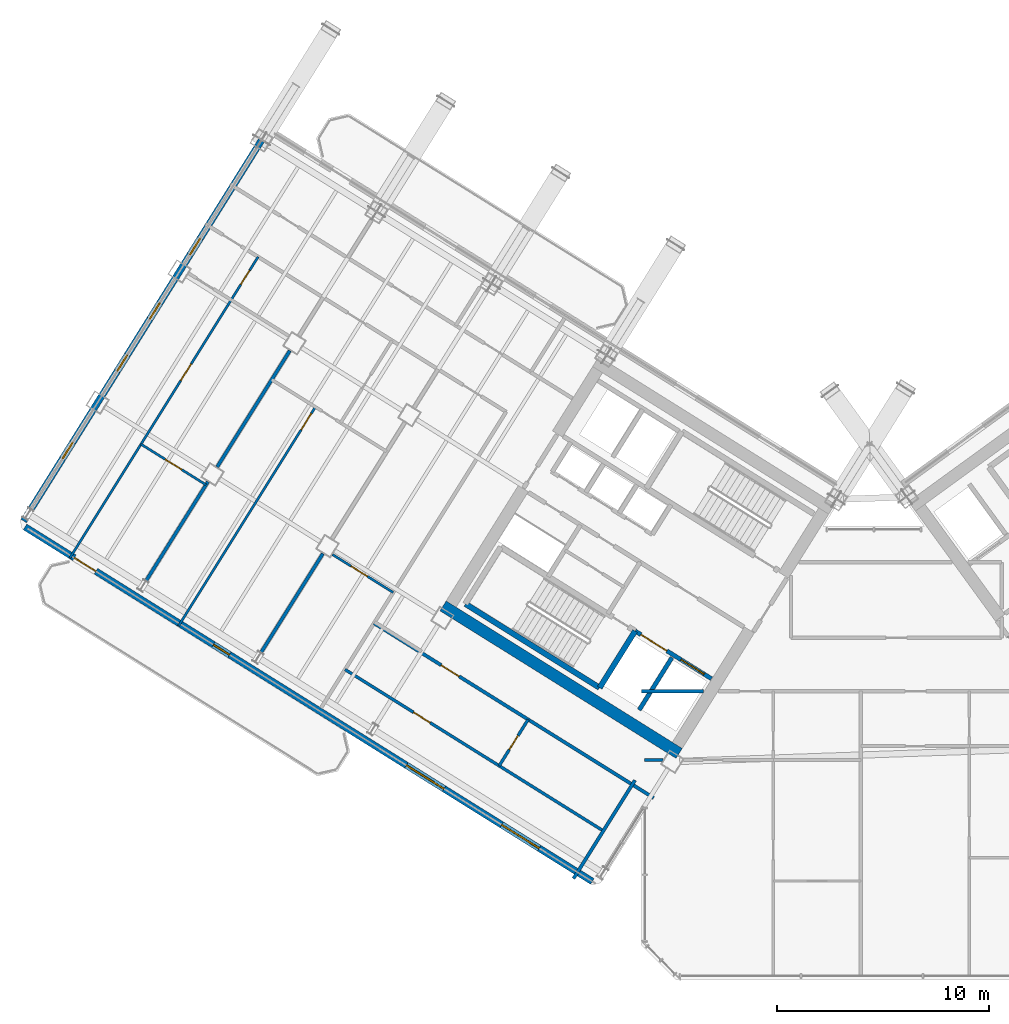
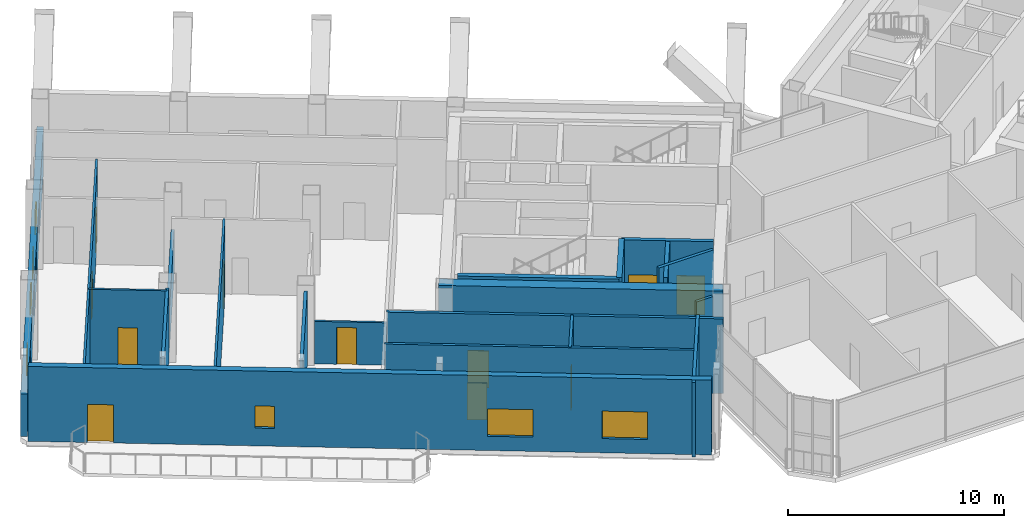
# One storey, part 22 of 34: 20 walls, 11 doors, 7 windows, 18 openings.
"""IFC4 building model written with IfcOpenShell, lengths in metres."""

from ifc_helpers import new_model, si_unit, direction, frame, frame_2d, origin, place, context, subcontext, project, spatial, rectangle, extrude, source, transform, mapped, material, layer, layer_set, type_object, element, fill, save


model = new_model("IFC4")

# Units and contexts
model_context = context("Model", 3, precision=1e-05, world=origin(), true_north=direction((0.0, 1.0)))
body_context = subcontext(model_context, "Body", "Model", "MODEL_VIEW")
ifc_project = project(units=[si_unit("LENGTHUNIT", "METRE"), si_unit("AREAUNIT", "SQUARE_METRE"), si_unit("VOLUMEUNIT", "CUBIC_METRE"), si_unit("PLANEANGLEUNIT", "RADIAN"), si_unit("MASSUNIT", "GRAM", prefix="KILO")], contexts=[model_context])

# Site, building, storey
site_placement = place(None, origin())
site = spatial("IfcSite", under=ifc_project, at=site_placement, CompositionType="ELEMENT")
building_placement = place(site_placement, origin())
building = spatial("IfcBuilding", under=site, at=building_placement, Name="Tlacorven Tower", CompositionType="ELEMENT")
storey_placement = place(building_placement, frame((0.0, 0.0, 174.89990234375)))
storey = spatial("IfcBuildingStorey", under=building, at=storey_placement, Name="L44", CompositionType="ELEMENT", Elevation=174.89990234375)

# Walls
ifc_material_1 = material(Name="Concrete C60/75", Category="concrete")
ifc_layer_1 = layer(ifc_material_1, 0.550048828125)
ifc_layer_set_1 = layer_set([ifc_layer_1], Name="Concrete C60/75")
wall_type_1 = type_object("IfcWallType", Name="WL-COR-550", PredefinedType="SHEAR", material=ifc_layer_set_1)
wall_1_placement = place(storey_placement, frame((33.3662109375, 12.4765625, 0.0), z_axis=(0.0, 0.0, 1.0), x_axis=(-0.848047359947, 0.529920442413, 0.0)))
element("IfcWall", 1, at=wall_1_placement, inside=storey, type_object=wall_type_1, Name="L44 W core shear wall S2", PredefinedType="SHEAR", context=body_context, shape_type="SweptSolid", body=[
    extrude(rectangle(XDim=13.139892578125, YDim=0.550048828125, at=frame_2d((6.56982421875, 0.0))), origin(), (0.0, 0.0, 1.0), 4.22021484375),
])
ifc_material_2 = material(Name="Gypsum plasterboard acoustic partition", Category="gypsum")
ifc_layer_2 = layer(ifc_material_2, 0.159912109375)
ifc_layer_set_2 = layer_set([ifc_layer_2], Name="Gypsum plasterboard acoustic partition")
wall_type_2 = type_object("IfcWallType", Name="WL-DEM-160", PredefinedType="PARTITIONING", material=ifc_layer_set_2)
wall_2_placement = place(storey_placement, frame((16.54541015625, 21.911865234375, 0.0), z_axis=(0.0, 0.0, 1.0), x_axis=(-0.52995106774, -0.848028222291, 0.0)))
element("IfcWall", 2, at=wall_2_placement, inside=storey, type_object=wall_type_2, Name="L44 WN Demising Wall 1", PredefinedType="PARTITIONING", context=body_context, shape_type="SweptSolid", body=[
    extrude(rectangle(XDim=5.5009765625, YDim=0.159912109375, at=frame_2d((2.75048828125, 0.0))), origin(), (0.0, 0.0, 1.0), 4.210205078125),
])
wall_3_placement = place(storey_placement, frame((14.986083984375, 31.494140625, 0.0), z_axis=(0.0, 0.0, 1.0), x_axis=(-0.529907440938, -0.848055484057, 0.0)))
element("IfcWall", 3, at=wall_3_placement, inside=storey, type_object=wall_type_2, Name="L44 WN Demising Wall 2", PredefinedType="PARTITIONING", context=body_context, shape_type="SweptSolid", body=[
    extrude(rectangle(XDim=6.475830078125, YDim=0.159912109375, at=frame_2d((3.23779296875, 0.0))), origin(), (0.0, 0.0, 1.0), 2.39501953125),
])
wall_4_placement = place(storey_placement, frame((11.11767578125, 25.303466796875, 0.0), z_axis=(0.0, 0.0, 1.0), x_axis=(-0.529919150083, -0.848048167486, 0.0)))
element("IfcWall", 4, at=wall_4_placement, inside=storey, type_object=wall_type_2, Name="L44 WN Demising Wall 2", PredefinedType="PARTITIONING", context=body_context, shape_type="SweptSolid", body=[
    extrude(rectangle(XDim=5.5009765625, YDim=0.159912109375, at=frame_2d((2.75048828125, 0.0))), origin(), (0.0, 0.0, 1.0), 4.210205078125),
])

# Wall, opening, door
wall_5_placement = place(storey_placement, frame((32.164306640625, 10.373779296875, 0.0), z_axis=(0.0, 0.0, 1.0), x_axis=(-0.848044107957, 0.529925646633, 0.0)))
wall_5 = element("IfcWall", 5, at=wall_5_placement, inside=storey, type_object=wall_type_2, Name="L44 partition 65", PredefinedType="PARTITIONING", context=body_context, shape_type="SweptSolid", body=[
    extrude(rectangle(XDim=15.570068359375, YDim=0.159912109375, at=frame_2d((7.78515625, 0.0))), origin(), (0.0, 0.0, 1.0), 4.210205078125),
])
opening_1_placement = place(wall_5_placement, frame((10.830078125, 0.0, 0.0)))
opening_1 = element("IfcOpeningElement", 6, at=opening_1_placement, cuts=wall_5, Name="Opening D11", PredefinedType="OPENING", context=body_context, shape_type="SweptSolid", body=[
    extrude(rectangle(XDim=1.0, YDim=2.10009765625, at=frame_2d((0.5, 1.050048828125))), frame((0.0, 0.08984375, 0.0), z_axis=(0.0, -1.0, 0.0), x_axis=(1.0, 0.0, 0.0)), (0.0, 0.0, 1.0), 0.179931640625),
])
ifc_material_3 = material(Name="Fire-rated steel door assembly", Category="steel")
door_type_1 = type_object("IfcDoorType", Name="DR-FLT-FD60-1000", OperationType="NOTDEFINED", PredefinedType="DOOR", material=ifc_material_3)
shared_shape_1 = source(origin(), body_context, "Body", "SweptSolid", [
    extrude(rectangle(XDim=1.0, YDim=2.10009765625, at=frame_2d((0.5, 1.050048828125))), frame((0.0, 0.02490234375, 0.0), z_axis=(0.0, -1.0, 0.0), x_axis=(1.0, 0.0, 0.0)), (0.0, 0.0, 1.0), 0.050048828125),
])
door_1_placement = place(opening_1_placement, origin())
door_1 = element("IfcDoor", 7, at=door_1_placement, inside=storey, type_object=door_type_1, Name="L44 door 039", OperationType="SINGLE_SWING_RIGHT", OverallHeight=2.10009765625, OverallWidth=1.0, PredefinedType="DOOR", context=body_context, shape_type="MappedRepresentation", body=[
    mapped(shared_shape_1, transform((0.0, 0.0, 0.0), scale=1.0)),
])
fill(opening_1, door_1)

# Walls
wall_6_placement = place(storey_placement, frame((31.282470703125, 11.2080078125, 0.0), z_axis=(0.0, 0.0, 1.0), x_axis=(-0.529938869374, -0.84803584519, 0.0)))
element("IfcWall", 8, at=wall_6_placement, inside=storey, type_object=wall_type_2, Name="L44 WC West Throat Wall", PredefinedType="PARTITIONING", context=body_context, shape_type="SweptSolid", body=[
    extrude(rectangle(XDim=5.47998046875, YDim=0.159912109375, at=frame_2d((2.739990234375, 0.0))), origin(), (0.0, 0.0, 1.0), 4.210205078125),
])
wall_7_placement = place(storey_placement, frame((31.60009765625, 15.419921875, 0.0), z_axis=(0.0, 0.0, 1.0), x_axis=(1.0, 0.0, 0.0)))
element("IfcWall", 9, at=wall_7_placement, inside=storey, type_object=wall_type_2, Name="L44 Knuckle Corridor South Wall", PredefinedType="PARTITIONING", context=body_context, shape_type="SweptSolid", body=[
    extrude(rectangle(XDim=2.925048828125, YDim=0.159912109375, at=frame_2d((1.46240234375, 0.0))), origin(), (0.0, 0.0, 1.0), 4.210205078125),
])

# Wall, openings, door, windows
ifc_material_4 = material(Name="Precast concrete C45/55", Category="concrete")
ifc_layer_3 = layer(ifc_material_4, 0.320068359375)
ifc_layer_set_3 = layer_set([ifc_layer_3], Name="Precast concrete C45/55")
wall_type_3 = type_object("IfcWallType", Name="WL-EXT-320", PredefinedType="STANDARD", material=ifc_layer_set_3)
wall_8_placement = place(storey_placement, frame((29.267822265625, 6.429443359375, 0.0), z_axis=(0.0, 0.0, 1.0), x_axis=(-0.848049971435, 0.529916263149, 0.0)))
wall_8 = element("IfcWall", 10, at=wall_8_placement, inside=storey, type_object=wall_type_3, Name="L44 Masonry-Frame Recessed Facade Wall 1", PredefinedType="STANDARD", context=body_context, shape_type="SweptSolid", body=[
    extrude(rectangle(XDim=31.587646484375, YDim=0.320068359375, at=frame_2d((15.7939453125, 0.0))), origin(), (0.0, 0.0, 1.0), 4.22021484375),
])
opening_2_placement = place(wall_8_placement, frame((27.640625, 0.0, 0.0)))
opening_2 = element("IfcOpeningElement", 11, at=opening_2_placement, cuts=wall_8, Name="Opening D05", PredefinedType="OPENING", context=body_context, shape_type="SweptSolid", body=[
    extrude(rectangle(XDim=1.199951171875, YDim=2.14990234375, at=frame_2d((0.60009765625, 1.074951171875))), frame((0.0, 0.169921875, 0.0), z_axis=(0.0, -1.0, 0.0), x_axis=(1.0, 0.0, 0.0)), (0.0, 0.0, 1.0), 0.340087890625),
])
opening_3_placement = place(wall_8_placement, frame((2.95361328125, 0.0, 0.800048828125)))
opening_3 = element("IfcOpeningElement", 12, at=opening_3_placement, cuts=wall_8, Name="Opening WN04", PredefinedType="OPENING", context=body_context, shape_type="SweptSolid", body=[
    extrude(rectangle(XDim=2.10009765625, YDim=1.550048828125, at=frame_2d((1.050048828125, 0.77490234375))), frame((0.0, 0.169921875, 0.0), z_axis=(0.0, -1.0, 0.0), x_axis=(1.0, 0.0, 0.0)), (0.0, 0.0, 1.0), 0.340087890625),
])
opening_4_placement = place(wall_8_placement, frame((8.253173828125, 0.0, 0.800048828125)))
opening_4 = element("IfcOpeningElement", 13, at=opening_4_placement, cuts=wall_8, Name="Opening WN04", PredefinedType="OPENING", context=body_context, shape_type="SweptSolid", body=[
    extrude(rectangle(XDim=2.10009765625, YDim=1.550048828125, at=frame_2d((1.050048828125, 0.77490234375))), frame((0.0, 0.169921875, 0.0), z_axis=(0.0, -1.0, 0.0), x_axis=(1.0, 0.0, 0.0)), (0.0, 0.0, 1.0), 0.340087890625),
])
opening_5_placement = place(wall_8_placement, frame((20.2001953125, 0.0, 1.0)))
opening_5 = element("IfcOpeningElement", 14, at=opening_5_placement, cuts=wall_8, Name="Opening WN05", PredefinedType="OPENING", context=body_context, shape_type="SweptSolid", body=[
    extrude(rectangle(XDim=0.89990234375, YDim=1.25, at=frame_2d((0.449951171875, 0.625))), frame((0.0, 0.169921875, 0.0), z_axis=(0.0, -1.0, 0.0), x_axis=(1.0, 0.0, 0.0)), (0.0, 0.0, 1.0), 0.340087890625),
])
ifc_material_5 = material(Name="Powder-coated aluminium and timber door", Category="wood")
door_type_2 = type_object("IfcDoorType", Name="DR-EXT-BALC-1200", OperationType="NOTDEFINED", PredefinedType="DOOR", material=ifc_material_5)
shared_shape_2 = source(origin(), body_context, "Body", "SweptSolid", [
    extrude(rectangle(XDim=1.199951171875, YDim=2.14990234375, at=frame_2d((0.60009765625, 1.074951171875))), frame((0.0, 0.02490234375, 0.0), z_axis=(0.0, -1.0, 0.0), x_axis=(1.0, 0.0, 0.0)), (0.0, 0.0, 1.0), 0.050048828125),
])
door_2_placement = place(opening_2_placement, origin())
door_2 = element("IfcDoor", 15, at=door_2_placement, inside=storey, type_object=door_type_2, Name="L44 Outdoor Access Door BAL-L44-W-OUT", OperationType="SINGLE_SWING_LEFT", OverallHeight=2.14990234375, OverallWidth=1.199951171875, PredefinedType="DOOR", context=body_context, shape_type="MappedRepresentation", body=[
    mapped(shared_shape_2, transform((0.0, 0.0, 0.0), scale=1.0)),
])
fill(opening_2, door_2)
ifc_material_6 = material(Name="Dark solar low-E double glazing in anodised aluminium frame", Category="aluminium")
window_type_1 = type_object("IfcWindowType", Name="WN-APT-2100X1750", PartitioningType="SINGLE_PANEL", PredefinedType="WINDOW", material=ifc_material_6)
shared_shape_3 = source(origin(), body_context, "Body", "SweptSolid", [
    extrude(rectangle(XDim=2.10009765625, YDim=1.550048828125, at=frame_2d((1.050048828125, 0.77490234375))), frame((0.0, 0.030029296875, 0.0), z_axis=(0.0, -1.0, 0.0), x_axis=(1.0, 0.0, 0.0)), (0.0, 0.0, 1.0), 0.06005859375),
])
window_1_placement = place(opening_3_placement, origin())
window_1 = element("IfcWindow", 16, at=window_1_placement, inside=storey, type_object=window_type_1, Name="L44 Recessed Masonry-Frame Window L44-01.1", OverallHeight=1.550048828125, OverallWidth=2.10009765625, PartitioningType="SINGLE_PANEL", PredefinedType="WINDOW", context=body_context, shape_type="MappedRepresentation", body=[
    mapped(shared_shape_3, transform((0.0, 0.0, 0.0), scale=1.0)),
])
fill(opening_3, window_1)
window_2_placement = place(opening_4_placement, origin())
window_2 = element("IfcWindow", 17, at=window_2_placement, inside=storey, type_object=window_type_1, Name="L44 Recessed Masonry-Frame Window L44-01.2", OverallHeight=1.550048828125, OverallWidth=2.10009765625, PartitioningType="SINGLE_PANEL", PredefinedType="WINDOW", context=body_context, shape_type="MappedRepresentation", body=[
    mapped(shared_shape_3, transform((0.0, 0.0, 0.0), scale=1.0)),
])
fill(opening_4, window_2)
window_type_2 = type_object("IfcWindowType", Name="WN-APT-0900X1350", PartitioningType="SINGLE_PANEL", PredefinedType="WINDOW", material=ifc_material_6)
shared_shape_4 = source(origin(), body_context, "Body", "SweptSolid", [
    extrude(rectangle(XDim=0.89990234375, YDim=1.25, at=frame_2d((0.449951171875, 0.625))), frame((0.0, 0.030029296875, 0.0), z_axis=(0.0, -1.0, 0.0), x_axis=(1.0, 0.0, 0.0)), (0.0, 0.0, 1.0), 0.06005859375),
])
window_3_placement = place(opening_5_placement, origin())
window_3 = element("IfcWindow", 18, at=window_3_placement, inside=storey, type_object=window_type_2, Name="L44 Dwelling Daylight Window L44-U01-STU", OverallHeight=1.25, OverallWidth=0.89990234375, PartitioningType="SINGLE_PANEL", PredefinedType="WINDOW", context=body_context, shape_type="MappedRepresentation", body=[
    mapped(shared_shape_4, transform((0.0, 0.0, 0.0), scale=1.0)),
])
fill(opening_5, window_3)

# Wall, openings, windows
wall_9_placement = place(storey_placement, frame((2.41455078125, 23.452392578125, 0.0), z_axis=(0.0, 0.0, 1.0), x_axis=(0.52991049553, 0.848053575387, 0.0)))
wall_9 = element("IfcWall", 19, at=wall_9_placement, inside=storey, type_object=wall_type_3, Name="L44 Masonry-Frame Recessed Facade Wall 2", PredefinedType="STANDARD", context=body_context, shape_type="SweptSolid", body=[
    extrude(rectangle(XDim=21.58740234375, YDim=0.320068359375, at=frame_2d((10.793701171875, 0.0))), origin(), (0.0, 0.0, 1.0), 2.39501953125),
])
opening_6_placement = place(wall_9_placement, frame((3.46875, 0.0, 1.0)))
opening_6 = element("IfcOpeningElement", 20, at=opening_6_placement, cuts=wall_9, Name="Opening WN05", PredefinedType="OPENING", context=body_context, shape_type="SweptSolid", body=[
    extrude(rectangle(XDim=0.89990234375, YDim=1.25, at=frame_2d((0.449951171875, 0.625))), frame((0.0, 0.169921875, 0.0), z_axis=(0.0, -1.0, 0.0), x_axis=(1.0, 0.0, 0.0)), (0.0, 0.0, 1.0), 0.340087890625),
])
opening_7_placement = place(wall_9_placement, frame((8.34375, 0.0, 1.0)))
opening_7 = element("IfcOpeningElement", 21, at=opening_7_placement, cuts=wall_9, Name="Opening WN05", PredefinedType="OPENING", context=body_context, shape_type="SweptSolid", body=[
    extrude(rectangle(XDim=0.89990234375, YDim=1.25, at=frame_2d((0.449951171875, 0.625))), frame((0.0, 0.169921875, 0.0), z_axis=(0.0, -1.0, 0.0), x_axis=(1.0, 0.0, 0.0)), (0.0, 0.0, 1.0), 0.340087890625),
])
opening_8_placement = place(wall_9_placement, frame((11.24365234375, 0.0, 1.0)))
opening_8 = element("IfcOpeningElement", 22, at=opening_8_placement, cuts=wall_9, Name="Opening WN05", PredefinedType="OPENING", context=body_context, shape_type="SweptSolid", body=[
    extrude(rectangle(XDim=0.89990234375, YDim=1.25, at=frame_2d((0.449951171875, 0.625))), frame((0.0, 0.169921875, 0.0), z_axis=(0.0, -1.0, 0.0), x_axis=(1.0, 0.0, 0.0)), (0.0, 0.0, 1.0), 0.340087890625),
])
opening_9_placement = place(wall_9_placement, frame((14.82861328125, 0.0, 1.0)))
opening_9 = element("IfcOpeningElement", 23, at=opening_9_placement, cuts=wall_9, Name="Opening WN05", PredefinedType="OPENING", context=body_context, shape_type="SweptSolid", body=[
    extrude(rectangle(XDim=0.89990234375, YDim=1.25, at=frame_2d((0.449951171875, 0.625))), frame((0.0, 0.169921875, 0.0), z_axis=(0.0, -1.0, 0.0), x_axis=(1.0, 0.0, 0.0)), (0.0, 0.0, 1.0), 0.340087890625),
])
window_4_placement = place(opening_6_placement, origin())
window_4 = element("IfcWindow", 24, at=window_4_placement, inside=storey, type_object=window_type_2, Name="L44 Recessed Masonry-Frame Window L44-02.1", OverallHeight=1.25, OverallWidth=0.89990234375, PartitioningType="SINGLE_PANEL", PredefinedType="WINDOW", context=body_context, shape_type="MappedRepresentation", body=[
    mapped(shared_shape_4, transform((0.0, 0.0, 0.0), scale=1.0)),
])
fill(opening_6, window_4)
window_5_placement = place(opening_7_placement, origin())
window_5 = element("IfcWindow", 25, at=window_5_placement, inside=storey, type_object=window_type_2, Name="L44 Recessed Masonry-Frame Window L44-02.2", OverallHeight=1.25, OverallWidth=0.89990234375, PartitioningType="SINGLE_PANEL", PredefinedType="WINDOW", context=body_context, shape_type="MappedRepresentation", body=[
    mapped(shared_shape_4, transform((0.0, 0.0, 0.0), scale=1.0)),
])
fill(opening_7, window_5)
window_6_placement = place(opening_8_placement, origin())
window_6 = element("IfcWindow", 26, at=window_6_placement, inside=storey, type_object=window_type_2, Name="L44 Recessed Masonry-Frame Window L44-02.3", OverallHeight=1.25, OverallWidth=0.89990234375, PartitioningType="SINGLE_PANEL", PredefinedType="WINDOW", context=body_context, shape_type="MappedRepresentation", body=[
    mapped(shared_shape_4, transform((0.0, 0.0, 0.0), scale=1.0)),
])
fill(opening_8, window_6)
window_7_placement = place(opening_9_placement, origin())
window_7 = element("IfcWindow", 27, at=window_7_placement, inside=storey, type_object=window_type_2, Name="L44 Recessed Masonry-Frame Window L44-02.4", OverallHeight=1.25, OverallWidth=0.89990234375, PartitioningType="SINGLE_PANEL", PredefinedType="WINDOW", context=body_context, shape_type="MappedRepresentation", body=[
    mapped(shared_shape_4, transform((0.0, 0.0, 0.0), scale=1.0)),
])
fill(opening_9, window_7)

# Wall, opening, door
ifc_material_7 = material(Name="Gypsum plasterboard partition", Category="gypsum")
ifc_layer_4 = layer(ifc_material_7, 0.110107421875)
ifc_layer_set_4 = layer_set([ifc_layer_4], Name="Gypsum plasterboard partition")
wall_type_4 = type_object("IfcWallType", Name="WL-INT-110", PredefinedType="PARTITIONING", material=ifc_layer_set_4)
wall_10_placement = place(storey_placement, frame((19.865478515625, 20.0732421875, 0.0), z_axis=(0.0, 0.0, 1.0), x_axis=(-0.848055143312, 0.529907986259, 0.0)))
wall_10 = element("IfcWall", 28, at=wall_10_placement, inside=storey, type_object=wall_type_4, Name="L44 partition 53", PredefinedType="PARTITIONING", context=body_context, shape_type="SweptSolid", body=[
    extrude(rectangle(XDim=3.3779296875, YDim=0.110107421875, at=frame_2d((1.68896484375, 0.0))), origin(), (0.0, 0.0, 1.0), 2.39501953125),
])
opening_10_placement = place(wall_10_placement, frame((1.43505859375, 0.0, 0.0)))
opening_10 = element("IfcOpeningElement", 29, at=opening_10_placement, cuts=wall_10, Name="Opening D12", PredefinedType="OPENING", context=body_context, shape_type="SweptSolid", body=[
    extrude(rectangle(XDim=0.919921875, YDim=2.080078125, at=frame_2d((0.4599609375, 1.0400390625))), frame((0.0, 0.06494140625, 0.0), z_axis=(0.0, -1.0, 0.0), x_axis=(1.0, 0.0, 0.0)), (0.0, 0.0, 1.0), 0.130126953125),
])
door_type_3 = type_object("IfcDoorType", Name="DR-INT-ROOM-0920", OperationType="NOTDEFINED", PredefinedType="DOOR", material=ifc_material_5)
shared_shape_5 = source(origin(), body_context, "Body", "SweptSolid", [
    extrude(rectangle(XDim=0.919921875, YDim=2.080078125, at=frame_2d((0.4599609375, 1.0400390625))), frame((0.0, 0.02490234375, 0.0), z_axis=(0.0, -1.0, 0.0), x_axis=(1.0, 0.0, 0.0)), (0.0, 0.0, 1.0), 0.050048828125),
])
door_3_placement = place(opening_10_placement, origin())
door_3 = element("IfcDoor", 30, at=door_3_placement, inside=storey, type_object=door_type_3, Name="L44 door 025", OperationType="SINGLE_SWING_RIGHT", OverallHeight=2.080078125, OverallWidth=0.919921875, PredefinedType="DOOR", context=body_context, shape_type="MappedRepresentation", body=[
    mapped(shared_shape_5, transform((0.0, 0.0, 0.0), scale=1.0)),
])
fill(opening_10, door_3)

wall_11_placement = place(storey_placement, frame((16.191162109375, 28.833251953125, 0.0), z_axis=(0.0, 0.0, 1.0), x_axis=(-0.529921526101, -0.84804668278, 0.0)))
wall_11 = element("IfcWall", 31, at=wall_11_placement, inside=storey, type_object=wall_type_4, Name="L44 partition 57", PredefinedType="PARTITIONING", context=body_context, shape_type="SweptSolid", body=[
    extrude(rectangle(XDim=12.18994140625, YDim=0.110107421875, at=frame_2d((6.094970703125, 0.0))), origin(), (0.0, 0.0, 1.0), 4.210205078125),
])
opening_11_placement = place(wall_11_placement, frame((0.35009765625, 0.0, 0.0)))
opening_11 = element("IfcOpeningElement", 32, at=opening_11_placement, cuts=wall_11, Name="Opening D12", PredefinedType="OPENING", context=body_context, shape_type="SweptSolid", body=[
    extrude(rectangle(XDim=0.919921875, YDim=2.080078125, at=frame_2d((0.4599609375, 1.0400390625))), frame((0.0, 0.06494140625, 0.0), z_axis=(0.0, -1.0, 0.0), x_axis=(1.0, 0.0, 0.0)), (0.0, 0.0, 1.0), 0.130126953125),
])
door_4_placement = place(opening_11_placement, origin())
door_4 = element("IfcDoor", 33, at=door_4_placement, inside=storey, type_object=door_type_3, Name="L44 door 026", OperationType="SINGLE_SWING_LEFT", OverallHeight=2.080078125, OverallWidth=0.919921875, PredefinedType="DOOR", context=body_context, shape_type="MappedRepresentation", body=[
    mapped(shared_shape_5, transform((0.0, 0.0, 0.0), scale=1.0)),
])
fill(opening_11, door_4)

# Wall, openings, doors
wall_12_placement = place(storey_placement, frame((13.48583984375, 35.92431640625, 0.0), z_axis=(0.0, 0.0, 1.0), x_axis=(-0.529920421309, -0.848047373134, 0.0)))
wall_12 = element("IfcWall", 34, at=wall_12_placement, inside=storey, type_object=wall_type_4, Name="L44 partition 58", PredefinedType="PARTITIONING", context=body_context, shape_type="SweptSolid", body=[
    extrude(rectangle(XDim=16.77001953125, YDim=0.110107421875, at=frame_2d((8.385009765625, 0.0))), origin(), (0.0, 0.0, 1.0), 4.210205078125),
])
opening_12_placement = place(wall_12_placement, frame((0.760009765625, 0.0, 0.0)))
opening_12 = element("IfcOpeningElement", 35, at=opening_12_placement, cuts=wall_12, Name="Opening D22", PredefinedType="OPENING", context=body_context, shape_type="SweptSolid", body=[
    extrude(rectangle(XDim=0.780029296875, YDim=2.050048828125, at=frame_2d((0.39013671875, 1.02490234375))), frame((0.0, 0.06494140625, 0.0), z_axis=(0.0, -1.0, 0.0), x_axis=(1.0, 0.0, 0.0)), (0.0, 0.0, 1.0), 0.130126953125),
])
opening_13_placement = place(wall_12_placement, frame((5.966552734375, 0.0, 0.0)))
opening_13 = element("IfcOpeningElement", 36, at=opening_13_placement, cuts=wall_12, Name="Opening D12", PredefinedType="OPENING", context=body_context, shape_type="SweptSolid", body=[
    extrude(rectangle(XDim=0.919921875, YDim=2.080078125, at=frame_2d((0.4599609375, 1.0400390625))), frame((0.0, 0.06494140625, 0.0), z_axis=(0.0, -1.0, 0.0), x_axis=(1.0, 0.0, 0.0)), (0.0, 0.0, 1.0), 0.130126953125),
])
door_type_4 = type_object("IfcDoorType", Name="DR-INT-WET-0780", OperationType="NOTDEFINED", PredefinedType="DOOR", material=ifc_material_5)
shared_shape_6 = source(origin(), body_context, "Body", "SweptSolid", [
    extrude(rectangle(XDim=0.780029296875, YDim=2.050048828125, at=frame_2d((0.39013671875, 1.02490234375))), frame((0.0, 0.02490234375, 0.0), z_axis=(0.0, -1.0, 0.0), x_axis=(1.0, 0.0, 0.0)), (0.0, 0.0, 1.0), 0.050048828125),
])
door_5_placement = place(opening_12_placement, origin())
door_5 = element("IfcDoor", 37, at=door_5_placement, inside=storey, type_object=door_type_4, Name="L44 door 033", OperationType="SINGLE_SWING_RIGHT", OverallHeight=2.050048828125, OverallWidth=0.780029296875, PredefinedType="DOOR", context=body_context, shape_type="MappedRepresentation", body=[
    mapped(shared_shape_6, transform((0.0, 0.0, 0.0), scale=1.0)),
])
fill(opening_12, door_5)
door_6_placement = place(opening_13_placement, origin())
door_6 = element("IfcDoor", 38, at=door_6_placement, inside=storey, type_object=door_type_3, Name="L44 door 034", OperationType="SINGLE_SWING_LEFT", OverallHeight=2.080078125, OverallWidth=0.919921875, PredefinedType="DOOR", context=body_context, shape_type="MappedRepresentation", body=[
    mapped(shared_shape_5, transform((0.0, 0.0, 0.0), scale=1.0)),
])
fill(opening_13, door_6)

# Wall, opening, door
wall_13_placement = place(storey_placement, frame((11.027099609375, 25.158447265625, 0.0), z_axis=(0.0, 0.0, 1.0), x_axis=(-0.848051346257, 0.52991406295, 0.0)))
wall_13 = element("IfcWall", 39, at=wall_13_placement, inside=storey, type_object=wall_type_4, Name="L44 partition 62", PredefinedType="PARTITIONING", context=body_context, shape_type="SweptSolid", body=[
    extrude(rectangle(XDim=3.619873046875, YDim=0.110107421875, at=frame_2d((1.81005859375, 0.0))), origin(), (0.0, 0.0, 1.0), 4.210205078125),
])
opening_14_placement = place(wall_13_placement, frame((1.35009765625, 0.0, 0.0)))
opening_14 = element("IfcOpeningElement", 40, at=opening_14_placement, cuts=wall_13, Name="Opening D12", PredefinedType="OPENING", context=body_context, shape_type="SweptSolid", body=[
    extrude(rectangle(XDim=0.919921875, YDim=2.080078125, at=frame_2d((0.4599609375, 1.0400390625))), frame((0.0, 0.06494140625, 0.0), z_axis=(0.0, -1.0, 0.0), x_axis=(1.0, 0.0, 0.0)), (0.0, 0.0, 1.0), 0.130126953125),
])
door_7_placement = place(opening_14_placement, origin())
door_7 = element("IfcDoor", 41, at=door_7_placement, inside=storey, type_object=door_type_3, Name="L44 door 035", OperationType="SINGLE_SWING_RIGHT", OverallHeight=2.080078125, OverallWidth=0.919921875, PredefinedType="DOOR", context=body_context, shape_type="MappedRepresentation", body=[
    mapped(shared_shape_5, transform((0.0, 0.0, 0.0), scale=1.0)),
])
fill(opening_14, door_7)

ifc_material_8 = material(Name="Moisture-resistant gypsum plumbing wall", Category="gypsum")
ifc_layer_5 = layer(ifc_material_8, 0.139892578125)
ifc_layer_set_5 = layer_set([ifc_layer_5], Name="Moisture-resistant gypsum plumbing wall")
wall_type_5 = type_object("IfcWallType", Name="WL-PLM-140", PredefinedType="PLUMBINGWALL", material=ifc_layer_set_5)
wall_14_placement = place(storey_placement, frame((29.72021484375, 8.85888671875, 0.0), z_axis=(0.0, 0.0, 1.0), x_axis=(-0.848049134363, 0.529917602752, 0.0)))
wall_14 = element("IfcWall", 42, at=wall_14_placement, inside=storey, type_object=wall_type_5, Name="L44 partition 67", PredefinedType="PLUMBINGWALL", context=body_context, shape_type="SweptSolid", body=[
    extrude(rectangle(XDim=14.300048828125, YDim=0.139892578125, at=frame_2d((7.14990234375, 0.0))), origin(), (0.0, 0.0, 1.0), 4.210205078125),
])
opening_15_placement = place(wall_14_placement, frame((9.570068359375, 0.0, 0.0)))
opening_15 = element("IfcOpeningElement", 43, at=opening_15_placement, cuts=wall_14, Name="Opening D12", PredefinedType="OPENING", context=body_context, shape_type="SweptSolid", body=[
    extrude(rectangle(XDim=0.919921875, YDim=2.080078125, at=frame_2d((0.4599609375, 1.0400390625))), frame((0.0, 0.080078125, 0.0), z_axis=(0.0, -1.0, 0.0), x_axis=(1.0, 0.0, 0.0)), (0.0, 0.0, 1.0), 0.159912109375),
])
door_8_placement = place(opening_15_placement, origin())
door_8 = element("IfcDoor", 44, at=door_8_placement, inside=storey, type_object=door_type_3, Name="L44 door 040", OperationType="SINGLE_SWING_LEFT", OverallHeight=2.080078125, OverallWidth=0.919921875, PredefinedType="DOOR", context=body_context, shape_type="MappedRepresentation", body=[
    mapped(shared_shape_5, transform((0.0, 0.0, 0.0), scale=1.0)),
])
fill(opening_15, door_8)

wall_15_placement = place(storey_placement, frame((26.236572265625, 14.077880859375, 0.0), z_axis=(0.0, 0.0, 1.0), x_axis=(-0.52995640672, -0.848024885824, 0.0)))
wall_15 = element("IfcWall", 45, at=wall_15_placement, inside=storey, type_object=wall_type_5, Name="L44 partition 68", PredefinedType="PLUMBINGWALL", context=body_context, shape_type="SweptSolid", body=[
    extrude(rectangle(XDim=2.579833984375, YDim=0.139892578125, at=frame_2d((1.2900390625, 0.0))), origin(), (0.0, 0.0, 1.0), 4.210205078125),
])
opening_16_placement = place(wall_15_placement, frame((0.89990234375, 0.0, 0.0)))
opening_16 = element("IfcOpeningElement", 46, at=opening_16_placement, cuts=wall_15, Name="Opening D22", PredefinedType="OPENING", context=body_context, shape_type="SweptSolid", body=[
    extrude(rectangle(XDim=0.780029296875, YDim=2.050048828125, at=frame_2d((0.39013671875, 1.02490234375))), frame((0.0, 0.080078125, 0.0), z_axis=(0.0, -1.0, 0.0), x_axis=(1.0, 0.0, 0.0)), (0.0, 0.0, 1.0), 0.159912109375),
])
door_9_placement = place(opening_16_placement, origin())
door_9 = element("IfcDoor", 47, at=door_9_placement, inside=storey, type_object=door_type_4, Name="L44 door 041", OperationType="SINGLE_SWING_RIGHT", OverallHeight=2.050048828125, OverallWidth=0.780029296875, PredefinedType="DOOR", context=body_context, shape_type="MappedRepresentation", body=[
    mapped(shared_shape_6, transform((0.0, 0.0, 0.0), scale=1.0)),
])
fill(opening_16, door_9)

# Wall
wall_16_placement = place(storey_placement, frame((31.739990234375, 12.169921875, 0.0), z_axis=(0.0, 0.0, 1.0), x_axis=(1.0, 0.0, 0.0)))
element("IfcWall", 48, at=wall_16_placement, inside=storey, type_object=wall_type_5, Name="L44 partition 78", PredefinedType="PLUMBINGWALL", context=body_context, shape_type="SweptSolid", body=[
    extrude(rectangle(XDim=0.872314453125, YDim=0.139892578125, at=frame_2d((0.43603515625, 0.0))), origin(), (0.0, 0.0, 1.0), 4.210205078125),
])

# Wall, openings, doors
ifc_material_9 = material(Name="Concrete C40/50", Category="concrete")
ifc_layer_6 = layer(ifc_material_9, 0.199951171875)
ifc_layer_set_6 = layer_set([ifc_layer_6], Name="Concrete C40/50")
wall_type_6 = type_object("IfcWallType", Name="WL-SHF-200", PredefinedType="STANDARD", material=ifc_layer_set_6)
wall_17_placement = place(storey_placement, frame((34.890625, 16.0048828125, 0.0), z_axis=(0.0, 0.0, 1.0), x_axis=(-0.848062873452, 0.529895614884, 0.0)))
wall_17 = element("IfcWall", 49, at=wall_17_placement, inside=storey, type_object=wall_type_6, Name="L44 Core W Firefighting Lift Shaft Front Wall", PredefinedType="STANDARD", context=body_context, shape_type="SweptSolid", body=[
    extrude(rectangle(XDim=4.248046875, YDim=0.199951171875, at=frame_2d((2.1240234375, 0.0))), origin(), (0.0, 0.0, 1.0), 4.210205078125),
])
opening_17_placement = place(wall_17_placement, frame((0.39794921875, 0.0, 0.0)))
opening_17 = element("IfcOpeningElement", 50, at=opening_17_placement, cuts=wall_17, Name="Opening LD03", PredefinedType="OPENING", context=body_context, shape_type="SweptSolid", body=[
    extrude(rectangle(XDim=1.300048828125, YDim=2.199951171875, at=frame_2d((0.64990234375, 1.10009765625))), frame((0.0, 0.10986328125, 0.0), z_axis=(0.0, -1.0, 0.0), x_axis=(1.0, 0.0, 0.0)), (0.0, 0.0, 1.0), 0.219970703125),
])
opening_18_placement = place(wall_17_placement, frame((2.472900390625, 0.0, 0.0)))
opening_18 = element("IfcOpeningElement", 51, at=opening_18_placement, cuts=wall_17, Name="Opening LD04", PredefinedType="OPENING", context=body_context, shape_type="SweptSolid", body=[
    extrude(rectangle(XDim=1.449951171875, YDim=2.25, at=frame_2d((0.72509765625, 1.125))), frame((0.0, 0.10986328125, 0.0), z_axis=(0.0, -1.0, 0.0), x_axis=(1.0, 0.0, 0.0)), (0.0, 0.0, 1.0), 0.219970703125),
])
door_type_5 = type_object("IfcDoorType", Name="DR-LFT-SLID-1300", OperationType="DOUBLE_DOOR_SLIDING", PredefinedType="DOOR", material=ifc_material_3)
shared_shape_7 = source(origin(), body_context, "Body", "SweptSolid", [
    extrude(rectangle(XDim=1.300048828125, YDim=2.199951171875, at=frame_2d((0.64990234375, 1.10009765625))), frame((0.0, 0.02490234375, 0.0), z_axis=(0.0, -1.0, 0.0), x_axis=(1.0, 0.0, 0.0)), (0.0, 0.0, 1.0), 0.050048828125),
])
door_10_placement = place(opening_17_placement, origin())
door_10 = element("IfcDoor", 52, at=door_10_placement, inside=storey, type_object=door_type_5, Name="L44 Lift FFL-W1 Sliding Landing Door", OperationType="DOUBLE_DOOR_SLIDING", OverallHeight=2.199951171875, OverallWidth=1.300048828125, PredefinedType="DOOR", context=body_context, shape_type="MappedRepresentation", body=[
    mapped(shared_shape_7, transform((0.0, 0.0, 0.0), scale=1.0)),
])
fill(opening_17, door_10)
door_type_6 = type_object("IfcDoorType", Name="DR-LFT-SLID-1450", OperationType="DOUBLE_DOOR_SLIDING", PredefinedType="DOOR", material=ifc_material_3)
shared_shape_8 = source(origin(), body_context, "Body", "SweptSolid", [
    extrude(rectangle(XDim=1.449951171875, YDim=2.25, at=frame_2d((0.72509765625, 1.125))), frame((0.0, 0.02490234375, 0.0), z_axis=(0.0, -1.0, 0.0), x_axis=(1.0, 0.0, 0.0)), (0.0, 0.0, 1.0), 0.050048828125),
])
door_11_placement = place(opening_18_placement, origin())
door_11 = element("IfcDoor", 53, at=door_11_placement, inside=storey, type_object=door_type_6, Name="L44 Lift SVL-W1 Sliding Landing Door", OperationType="DOUBLE_DOOR_SLIDING", OverallHeight=2.25, OverallWidth=1.449951171875, PredefinedType="DOOR", context=body_context, shape_type="MappedRepresentation", body=[
    mapped(shared_shape_8, transform((0.0, 0.0, 0.0), scale=1.0)),
])
fill(opening_18, door_11)

# Walls
wall_18_placement = place(storey_placement, frame((33.02880859375, 17.003173828125, 0.0), z_axis=(0.0, 0.0, 1.0), x_axis=(-0.529916267533, -0.848049968695, 0.0)))
element("IfcWall", 54, at=wall_18_placement, inside=storey, type_object=wall_type_6, Name="L44 partition 14", PredefinedType="STANDARD", context=body_context, shape_type="SweptSolid", body=[
    extrude(rectangle(XDim=2.919921875, YDim=0.199951171875, at=frame_2d((1.4599609375, 0.0))), origin(), (0.0, 0.0, 1.0), 4.210205078125),
])
ifc_material_10 = material(Name="Concrete C50/60", Category="concrete")
ifc_layer_7 = layer(ifc_material_10, 0.260009765625)
ifc_layer_set_7 = layer_set([ifc_layer_7], Name="Concrete C50/60")
wall_type_7 = type_object("IfcWallType", Name="WL-STW-260", PredefinedType="SHEAR", material=ifc_layer_set_7)
wall_19_placement = place(storey_placement, frame((29.60498046875, 15.581298828125, 0.0), z_axis=(0.0, 0.0, 1.0), x_axis=(-0.848036911448, 0.529937163087, 0.0)))
element("IfcWall", 55, at=wall_19_placement, inside=storey, type_object=wall_type_7, Name="L44 Stair W1 Far Shear Wall", PredefinedType="SHEAR", context=body_context, shape_type="SweptSolid", body=[
    extrude(rectangle(XDim=7.4599609375, YDim=0.260009765625, at=frame_2d((3.72998046875, 0.0))), origin(), (0.0, 0.0, 1.0), 4.22021484375),
])
wall_20_placement = place(storey_placement, frame((31.2880859375, 18.255859375, 0.0), z_axis=(0.0, 0.0, 1.0), x_axis=(-0.529943379326, -0.848033026897, 0.0)))
element("IfcWall", 56, at=wall_20_placement, inside=storey, type_object=wall_type_7, Name="L44 Stair W1 West Shear Wall", PredefinedType="SHEAR", context=body_context, shape_type="SweptSolid", body=[
    extrude(rectangle(XDim=3.159912109375, YDim=0.260009765625, at=frame_2d((1.580078125, 0.0))), origin(), (0.0, 0.0, 1.0), 4.22021484375),
])

save(model, "model.ifc")
